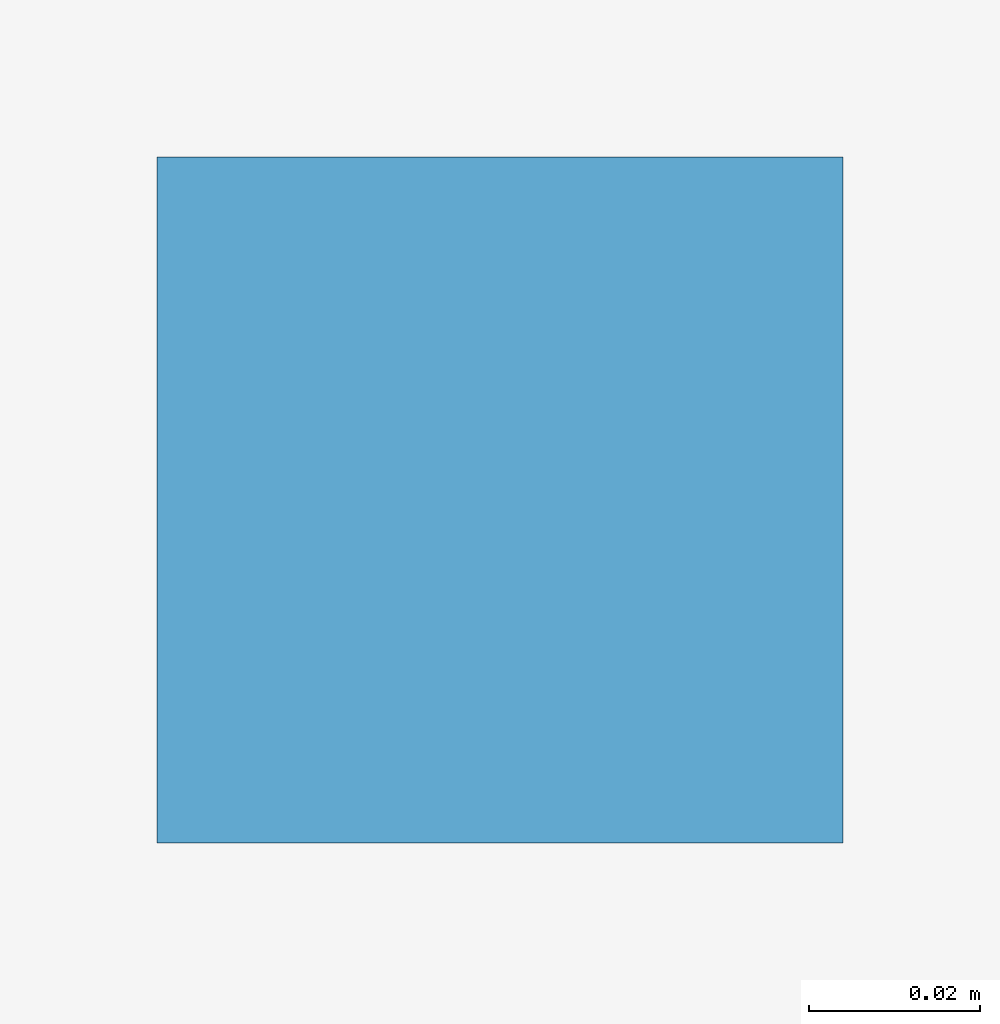
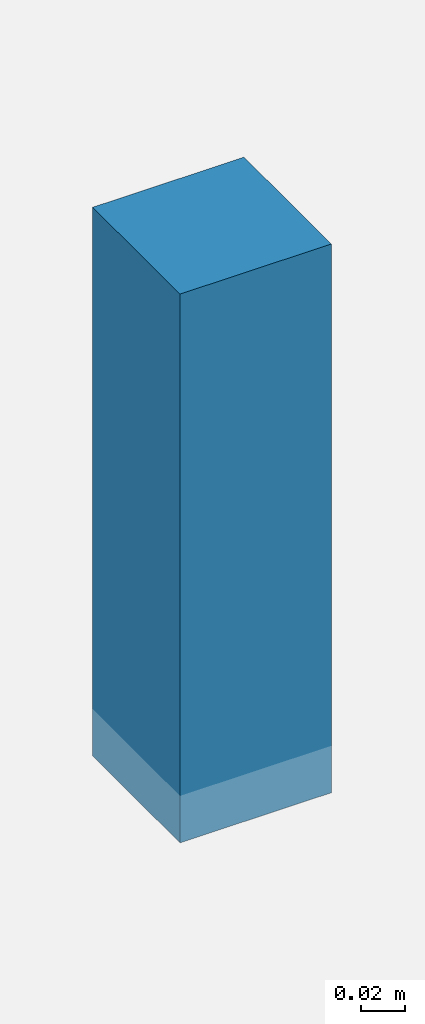
# One storey, part 100 of 116: 1 discrete accessory.
"""IFC4 building model written with IfcOpenShell, lengths in metres."""

from ifc_helpers import new_model, si_unit, direction, frame, origin, origin_2d, place, context, subcontext, project, spatial, rectangle, extrude, material, type_object, element, save


model = new_model("IFC4")

# Units and contexts
model_context = context("Model", 3, precision=1e-05, world=origin(), true_north=direction((0.0, 1.0)))
body_context = subcontext(model_context, "Body", "Model", "MODEL_VIEW")
ifc_project = project(units=[si_unit("LENGTHUNIT", "METRE"), si_unit("AREAUNIT", "SQUARE_METRE"), si_unit("VOLUMEUNIT", "CUBIC_METRE"), si_unit("PLANEANGLEUNIT", "RADIAN"), si_unit("MASSUNIT", "GRAM", prefix="KILO")], contexts=[model_context])

# Site, building, storey
site_placement = place(None, origin())
site = spatial("IfcSite", under=ifc_project, at=site_placement, CompositionType="ELEMENT")
building_placement = place(site_placement, origin())
building = spatial("IfcBuilding", under=site, at=building_placement, Name="Chalmorin Arch Market", CompositionType="ELEMENT")
storey_placement = place(building_placement, origin())
storey = spatial("IfcBuildingStorey", under=building, at=storey_placement, Name="L00", CompositionType="ELEMENT", Elevation=0.0)

# Discrete accessory
ifc_material = material(Name="Galvanized Cold-Formed Steel", Category="steel")
discrete_accessory_type = type_object("IfcDiscreteAccessoryType", Name="CeilingSuspensionBracket-80x80", PredefinedType="BRACKET", material=ifc_material)
discrete_accessory_placement = place(storey_placement, frame((14.5, 106.85009765625, 4.203125), z_axis=(0.0, 0.0, 1.0), x_axis=(1.0, 0.0, 0.0)))
element("IfcDiscreteAccessory", 1, at=discrete_accessory_placement, inside=storey, type_object=discrete_accessory_type, Name="CSB-106", PredefinedType="BRACKET", context=body_context, shape_type="SweptSolid", body=[
    extrude(rectangle(XDim=0.080078125, YDim=0.080078125, at=origin_2d()), origin(), (0.0, 0.0, 1.0), 0.306884765625),
])

save(model, "model.ifc")
